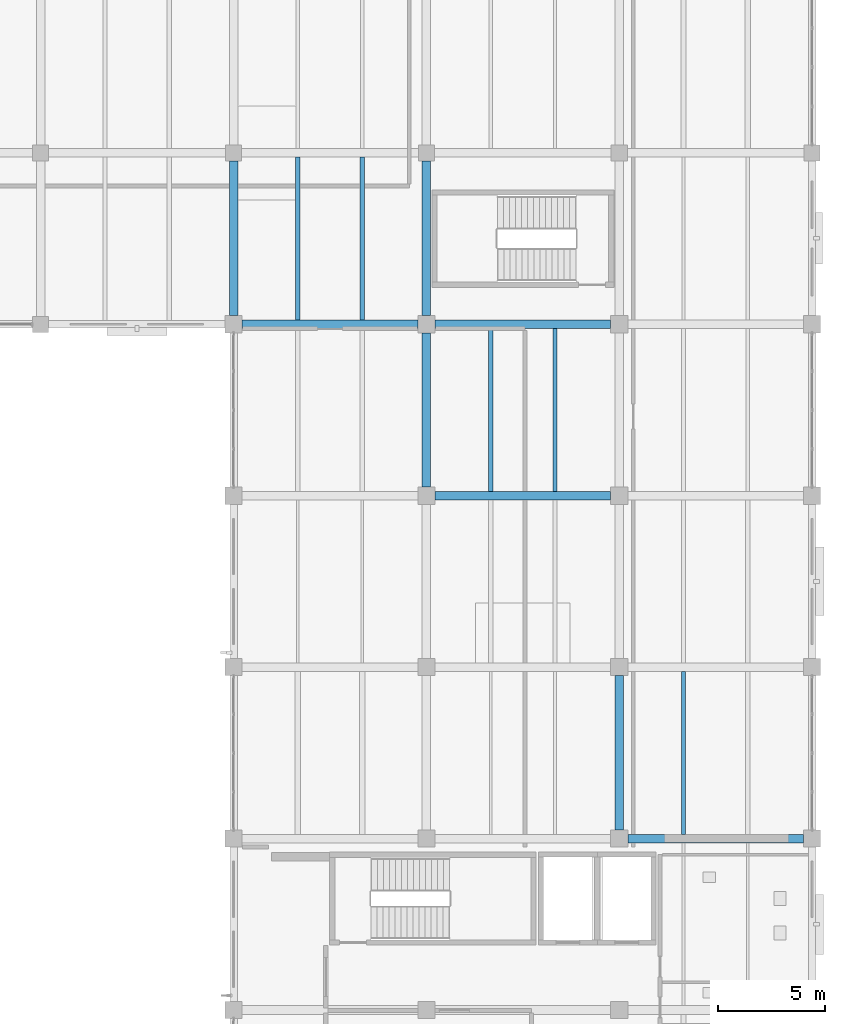
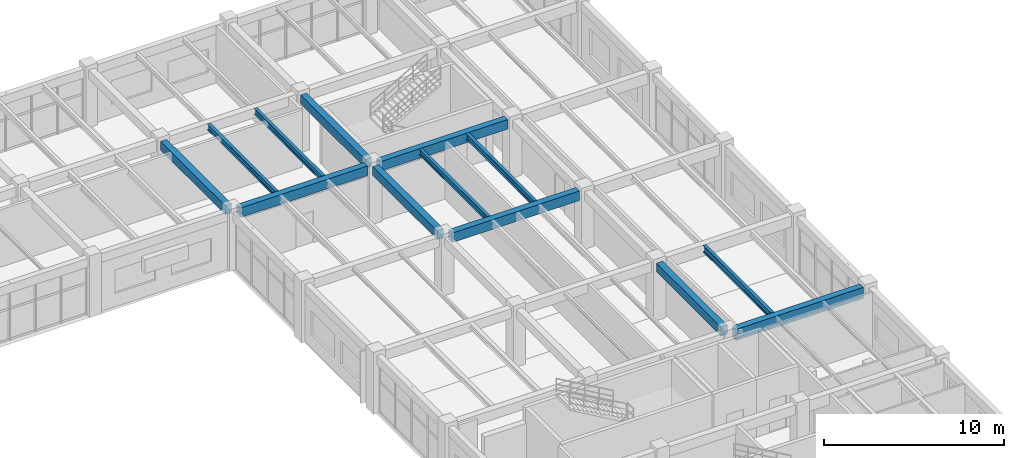
# One storey, part 105 of 148: 13 beams.
"""IFC4 building model written with IfcOpenShell, lengths in metres."""

from ifc_helpers import new_model, si_unit, derived_unit, direction, frame, origin, origin_2d, place, context, subcontext, project, spatial, rectangle, i_section, extrude, material, material_profile, profile_set, type_object, element, save


model = new_model("IFC4")

# Units and contexts
model_context = context("Model", 3, precision=1e-05, world=origin(), true_north=direction((0.0, 1.0)))
body_context = subcontext(model_context, "Body", "Model", "MODEL_VIEW")
ifc_project = project(units=[si_unit("LENGTHUNIT", "METRE"), si_unit("AREAUNIT", "SQUARE_METRE"), si_unit("VOLUMEUNIT", "CUBIC_METRE"), si_unit("PLANEANGLEUNIT", "RADIAN"), si_unit("MASSUNIT", "GRAM", prefix="KILO"), derived_unit("THERMALTRANSMITTANCEUNIT", [(si_unit("MASSUNIT", "GRAM", prefix="KILO"), 1), (si_unit("TIMEUNIT", "SECOND"), -3), (si_unit("THERMODYNAMICTEMPERATUREUNIT", "KELVIN"), -1)])], contexts=[model_context])

# Site, building, storey
site_placement = place(None, origin())
site = spatial("IfcSite", under=ifc_project, at=site_placement, CompositionType="ELEMENT")
building_placement = place(site_placement, origin())
building = spatial("IfcBuilding", under=site, at=building_placement, Name="Zhenchuan Archway Interchange", CompositionType="ELEMENT")
storey_placement = place(building_placement, frame((0.0, 0.0, 10.199951171875)))
storey = spatial("IfcBuildingStorey", under=building, at=storey_placement, Name="L02", CompositionType="ELEMENT", Elevation=10.199951171875)

# Beams
ifc_material_1 = material(Name="Concrete C40", Category="concrete")
ifc_material_profile_1 = material_profile(ifc_material_1, rectangle(XDim=0.39990234375, YDim=0.60009765625, at=origin_2d()), Name="RC 400x600")
ifc_profile_set_1 = profile_set([ifc_material_profile_1], Name="Concrete C40")
beam_type_1 = type_object("IfcBeamType", Name="BM_RC_400x600", PredefinedType="BEAM", material=ifc_profile_set_1)
beam_1_placement = place(storey_placement, frame((144.0, 88.39990234375, 3.6201171875), z_axis=(0.0, 1.0, 0.0), x_axis=(-1.0, 0.0, 0.0)))
element("IfcBeam", 1, at=beam_1_placement, inside=storey, type_object=beam_type_1, Name="Beam 17:M-N (L02)", PredefinedType="BEAM", context=body_context, shape_type="SweptSolid", body=[
    extrude(rectangle(XDim=0.39990234375, YDim=0.60009765625, at=origin_2d()), origin(), (0.0, 0.0, 1.0), 7.22509765625),
])
beam_2_placement = place(storey_placement, frame((153.0, 80.39990234375, 3.6201171875), z_axis=(0.0, 1.0, 0.0), x_axis=(-1.0, 0.0, 0.0)))
element("IfcBeam", 2, at=beam_2_placement, inside=storey, type_object=beam_type_1, Name="Beam 18:L-M (L02)", PredefinedType="BEAM", context=body_context, shape_type="SweptSolid", body=[
    extrude(rectangle(XDim=0.39990234375, YDim=0.60009765625, at=origin_2d()), origin(), (0.0, 0.0, 1.0), 7.2001953125),
])
beam_3_placement = place(storey_placement, frame((153.0, 88.39990234375, 3.6201171875), z_axis=(0.0, 1.0, 0.0), x_axis=(-1.0, 0.0, 0.0)))
element("IfcBeam", 3, at=beam_3_placement, inside=storey, type_object=beam_type_1, Name="Beam 18:M-N (L02)", PredefinedType="BEAM", context=body_context, shape_type="SweptSolid", body=[
    extrude(rectangle(XDim=0.39990234375, YDim=0.60009765625, at=origin_2d()), origin(), (0.0, 0.0, 1.0), 7.22509765625),
])
beam_4_placement = place(storey_placement, frame((162.0, 64.39990234375, 3.6201171875), z_axis=(0.0, 1.0, 0.0), x_axis=(-1.0, 0.0, 0.0)))
element("IfcBeam", 4, at=beam_4_placement, inside=storey, type_object=beam_type_1, Name="Beam 19:J-K (L02)", PredefinedType="BEAM", context=body_context, shape_type="SweptSolid", body=[
    extrude(rectangle(XDim=0.39990234375, YDim=0.60009765625, at=origin_2d()), origin(), (0.0, 0.0, 1.0), 7.2001953125),
])
ifc_material_profile_2 = material_profile(ifc_material_1, rectangle(XDim=0.39990234375, YDim=0.64990234375, at=origin_2d()), Name="RC 400x650")
ifc_profile_set_2 = profile_set([ifc_material_profile_2], Name="Concrete C40")
beam_type_2 = type_object("IfcBeamType", Name="BM_RC_400x650", PredefinedType="BEAM", material=ifc_profile_set_2)
for number, where, z_axis, x_axis, name in (
    (5, (153.39990234375, 80.0, 3.594970703125), (1.0, 0.0, 0.0), (0.0, 1.0, 0.0), "Beam L:18-19 (L02)"),
    (6, (144.39990234375, 88.0, 3.594970703125), (1.0, 0.0, 0.0), (0.0, 1.0, 0.0), "Beam M:17-18 (L02)"),
    (7, (153.39990234375, 88.0, 3.594970703125), (1.0, 0.0, 0.0), (0.0, 1.0, 0.0), "Beam M:18-19 (L02)"),
):
    element("IfcBeam", number, at=place(storey_placement, frame(where, z_axis=z_axis, x_axis=x_axis)), inside=storey, type_object=beam_type_2, Name=name, PredefinedType="BEAM", context=body_context, shape_type="SweptSolid", body=[
        extrude(rectangle(XDim=0.39990234375, YDim=0.64990234375, at=origin_2d()), origin(), (0.0, 0.0, 1.0), 8.2001953125),
    ])
ifc_material_profile_3 = material_profile(ifc_material_1, rectangle(XDim=0.39990234375, YDim=0.75, at=origin_2d()), Name="RC 400x750")
ifc_profile_set_3 = profile_set([ifc_material_profile_3], Name="Concrete C40")
beam_type_3 = type_object("IfcBeamType", Name="BM_RC_400x750", PredefinedType="BEAM", material=ifc_profile_set_3)
beam_5_placement = place(storey_placement, frame((162.39990234375, 64.0, 3.545166015625), z_axis=(1.0, 0.0, 0.0), x_axis=(0.0, 1.0, 0.0)))
element("IfcBeam", 8, at=beam_5_placement, inside=storey, type_object=beam_type_3, Name="Beam J:19-20 (L02)", PredefinedType="BEAM", context=body_context, shape_type="SweptSolid", body=[
    extrude(rectangle(XDim=0.39990234375, YDim=0.75, at=origin_2d()), origin(), (0.0, 0.0, 1.0), 8.2001953125),
])
ifc_material_2 = material(Name="Steel Q355", Category="steel")
ifc_material_profile_4 = material_profile(ifc_material_2, i_section(OverallWidth=0.199951171875, OverallDepth=0.39990234375, WebThickness=0.008056640625, FlangeThickness=0.012939453125, FilletRadius=0.01611328125, at=origin_2d()), Name="HN 400x200")
ifc_profile_set_4 = profile_set([ifc_material_profile_4], Name="Steel Q355")
beam_type_4 = type_object("IfcBeamType", Name="JST_STL_HN400", PredefinedType="JOIST", material=ifc_profile_set_4)
for number, where, z_axis, x_axis, name in (
    (9, (147.0, 88.199951171875, 3.719970703125), (0.0, 1.0, 0.0), (-1.0, 0.0, 0.0), "Secondary joist 17-18/M-N #1 (L02)"),
    (10, (150.0, 88.199951171875, 3.719970703125), (0.0, 1.0, 0.0), (-1.0, 0.0, 0.0), "Secondary joist 17-18/M-N #2 (L02)"),
    (11, (156.0, 80.199951171875, 3.719970703125), (0.0, 1.0, 0.0), (-1.0, 0.0, 0.0), "Secondary joist 18-19/L-M #1 (L02)"),
    (12, (159.0, 80.199951171875, 3.719970703125), (0.0, 1.0, 0.0), (-1.0, 0.0, 0.0), "Secondary joist 18-19/L-M #2 (L02)"),
):
    element("IfcBeam", number, at=place(storey_placement, frame(where, z_axis=z_axis, x_axis=x_axis)), inside=storey, type_object=beam_type_4, Name=name, PredefinedType="JOIST", context=body_context, shape_type="SweptSolid", body=[
        extrude(i_section(OverallWidth=0.199951171875, OverallDepth=0.39990234375, WebThickness=0.008056640625, FlangeThickness=0.012939453125, FilletRadius=0.01611328125, at=origin_2d()), origin(), (0.0, 0.0, 1.0), 7.60009765625),
    ])
ifc_material_profile_5 = material_profile(ifc_material_2, i_section(OverallWidth=0.199951171875, OverallDepth=0.449951171875, WebThickness=0.009033203125, FlangeThickness=0.013916015625, FilletRadius=0.01806640625, at=origin_2d()), Name="HN 450x200")
ifc_profile_set_5 = profile_set([ifc_material_profile_5], Name="Steel Q355")
beam_type_5 = type_object("IfcBeamType", Name="JST_STL_HN450", PredefinedType="JOIST", material=ifc_profile_set_5)
beam_6_placement = place(storey_placement, frame((165.0, 64.199951171875, 3.695068359375), z_axis=(0.0, 1.0, 0.0), x_axis=(-1.0, 0.0, 0.0)))
element("IfcBeam", 13, at=beam_6_placement, inside=storey, type_object=beam_type_5, Name="Secondary joist 19-20/J-K #1 (L02)", PredefinedType="JOIST", context=body_context, shape_type="SweptSolid", body=[
    extrude(i_section(OverallWidth=0.199951171875, OverallDepth=0.449951171875, WebThickness=0.009033203125, FlangeThickness=0.013916015625, FilletRadius=0.01806640625, at=origin_2d()), origin(), (0.0, 0.0, 1.0), 7.60009765625),
])

save(model, "model.ifc")
